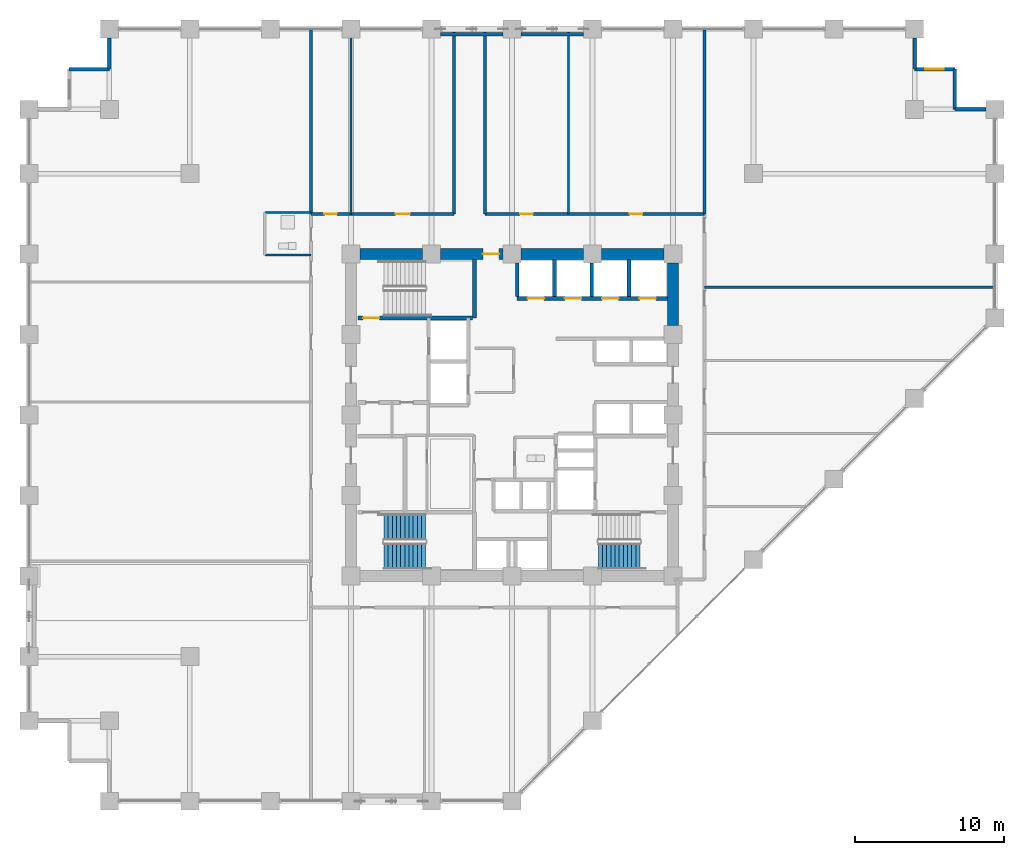
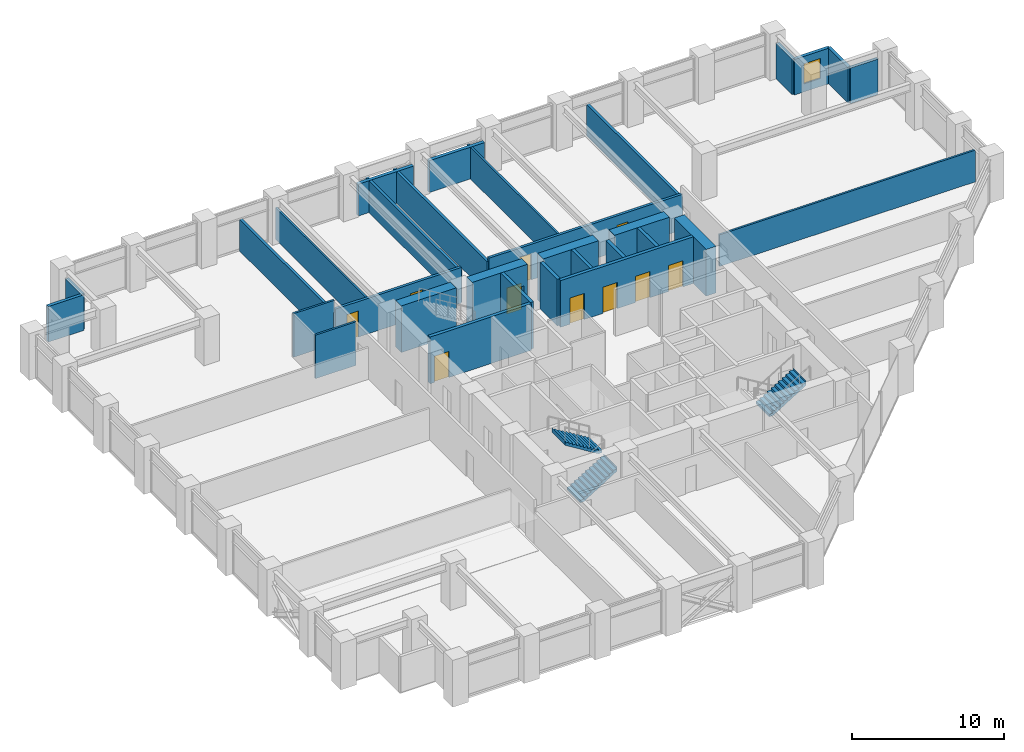
# One storey, part 22 of 26: 31 walls, 10 doors, 3 stair flights, 1 window, 11 openings, 2 elements without a shape of their own.
"""IFC4 building model written with IfcOpenShell, lengths in metres."""

import ifcopenshell
import ifcopenshell.guid

model = None  # the IFC model being written
_history = None  # IfcOwnerHistory: only IFC2X3 demands one
_inside = {}  # id of a spatial element -> (the spatial element, [elements in it])
_under = {}  # id of a project, library or spatial element -> (it, [spatial elements below it])
_declared = {}  # id of a project -> (the project, [libraries it declares])
_typed = {}  # id of a type object -> (the type object, [elements of that type])
_made_of = {}  # id of a material, layer set ... -> (it, [elements and type objects made of it])


def new_model(schema):
    """Start an empty IFC model of exactly this schema.

    Asked for "IFC4X3", IfcOpenShell would pick the latest addendum, in which some entities
    have other attributes; the version numbers below select the first issue.
    IFC2X3 requires an IfcOwnerHistory on every rooted entity: one is made here for all.
    """
    global model, _history
    if schema == "IFC4X3":
        model = ifcopenshell.file(schema_version=(4, 3, 0, 0))
    else:
        model = ifcopenshell.file(schema=schema)
    _inside.clear()
    _under.clear()
    _declared.clear()
    _typed.clear()
    _made_of.clear()
    _history = None
    if model.schema == "IFC2X3":
        org = make("IfcOrganization", Name="unknown")
        user = make(
            "IfcPersonAndOrganization",
            ThePerson=make("IfcPerson", FamilyName="unknown"),
            TheOrganization=org,
        )
        app = make(
            "IfcApplication",
            ApplicationDeveloper=org,
            Version="unknown",
            ApplicationFullName="unknown",
            ApplicationIdentifier="unknown",
        )
        _history = make(
            "IfcOwnerHistory",
            OwningUser=user,
            OwningApplication=app,
            ChangeAction="ADDED",
            CreationDate=0,
        )
    return model


def make(cls, **values):
    """One entity of the class cls with the attributes given. An attribute that is None is left unset."""
    return model.create_entity(
        cls, **{name: value for name, value in values.items() if value is not None}
    )


def rooted(cls, **values):
    """An entity with a GlobalId (a new one), such as an element, a storey or a relation."""
    return make(cls, GlobalId=ifcopenshell.guid.new(), OwnerHistory=_history, **values)


def si_unit(unit_type, name, prefix=None):
    """IfcSIUnit, for example si_unit("LENGTHUNIT", "METRE", prefix="MILLI")."""
    return make("IfcSIUnit", UnitType=unit_type, Prefix=prefix, Name=name)


def assignment(units):
    """IfcUnitAssignment: the units of a project."""
    return None if units is None else make("IfcUnitAssignment", Units=units)


def point(xyz):
    """IfcCartesianPoint."""
    return None if xyz is None else make("IfcCartesianPoint", Coordinates=xyz)


def direction(xyz):
    """IfcDirection."""
    return None if xyz is None else make("IfcDirection", DirectionRatios=xyz)


def frame(location, z_axis=None, x_axis=None):
    """IfcAxis2Placement3D, a coordinate frame: its origin and axes. An axis left out is left unset."""
    return make(
        "IfcAxis2Placement3D",
        Location=point(location),
        Axis=direction(z_axis),
        RefDirection=direction(x_axis),
    )


def frame_2d(location, x_axis=None):
    """IfcAxis2Placement2D, a coordinate frame in the plane: its origin and x axis."""
    return make(
        "IfcAxis2Placement2D", Location=point(location), RefDirection=direction(x_axis)
    )


def origin():
    """The frame at (0, 0, 0) with its axes left unset."""
    return frame((0.0, 0.0, 0.0))


def place(relative_to, where):
    """IfcLocalPlacement: puts the frame where relative to a parent placement (None: the world)."""
    return make(
        "IfcLocalPlacement", PlacementRelTo=relative_to, RelativePlacement=where
    )


def context(
    kind, dimensions, precision=None, world=None, true_north=None, identifier=None
):
    """IfcGeometricRepresentationContext, for example the 3D "Model" context."""
    return make(
        "IfcGeometricRepresentationContext",
        ContextIdentifier=identifier,
        ContextType=kind,
        CoordinateSpaceDimension=dimensions,
        Precision=precision,
        WorldCoordinateSystem=world,
        TrueNorth=true_north,
    )


def subcontext(parent, identifier, kind, view, scale=None):
    """IfcGeometricRepresentationSubContext, for example "Body" below "Model"."""
    return make(
        "IfcGeometricRepresentationSubContext",
        ContextIdentifier=identifier,
        ContextType=kind,
        ParentContext=parent,
        TargetScale=scale,
        TargetView=view,
    )


def project(units=None, contexts=None):
    """IfcProject with its units and contexts."""
    return rooted(
        "IfcProject",
        Name="project",
        RepresentationContexts=contexts,
        UnitsInContext=assignment(units),
    )


def spatial(cls, under=None, at=None, **own):
    """A site, building, storey or space (cls), placed at a placement, below another one or the project."""
    s = rooted(cls, ObjectPlacement=at, **own)
    if under is not None:
        _under.setdefault(under.id(), (under, []))[1].append(s)
    return s


def polyline(points):
    """IfcPolyline through the points."""
    return make("IfcPolyline", Points=[point(p) for p in points])


def profile(cls, at=None, kind="AREA", **sizes):
    """A parametric profile (cls). Its sizes go by their IFC names, for example OverallWidth=200.0."""
    return make(cls, ProfileType=kind, Position=at, **sizes)


def rectangle(**sizes):
    """IfcRectangleProfileDef."""
    return profile("IfcRectangleProfileDef", **sizes)


def outline(outer, holes=None, kind="AREA"):
    """IfcArbitraryClosedProfileDef: a profile drawn as a closed curve; with holes, ...WithVoids."""
    if holes is None:
        return make("IfcArbitraryClosedProfileDef", ProfileType=kind, OuterCurve=outer)
    return make(
        "IfcArbitraryProfileDefWithVoids",
        ProfileType=kind,
        OuterCurve=outer,
        InnerCurves=holes,
    )


def extrude(swept, where, along, depth):
    """IfcExtrudedAreaSolid: the profile swept, set in the frame where, extruded along a direction by depth."""
    return make(
        "IfcExtrudedAreaSolid",
        SweptArea=swept,
        Position=where,
        ExtrudedDirection=direction(along),
        Depth=depth,
    )


def shape(context_of_items, identifier, shape_type, items):
    """IfcShapeRepresentation: the items that make up one representation, for example the "Body"."""
    return make(
        "IfcShapeRepresentation",
        ContextOfItems=context_of_items,
        RepresentationIdentifier=identifier,
        RepresentationType=shape_type,
        Items=items,
    )


def material(Name=None, Category=None):
    """IfcMaterial."""
    return make("IfcMaterial", Name=Name, Category=Category)


def layer(
    of_material, thickness, ventilated=None, Name=None, Category=None, Priority=None
):
    """IfcMaterialLayer: one layer of a wall or slab, of a material (None: an air gap)."""
    return make(
        "IfcMaterialLayer",
        Material=of_material,
        LayerThickness=thickness,
        IsVentilated=ventilated,
        Name=Name,
        Category=Category,
        Priority=Priority,
    )


def layer_set(layers, Name=None):
    """IfcMaterialLayerSet."""
    return make("IfcMaterialLayerSet", MaterialLayers=layers, LayerSetName=Name)


def made_of(thing, what):
    """Note that an element or type object is made of a material, layer set ...; save() writes the relation."""
    if what is not None:
        _made_of.setdefault(what.id(), (what, []))[1].append(thing)
    return thing


def type_object(cls, material=None, **own):
    """A type object (cls), such as IfcWallType, which elements share."""
    return made_of(rooted(cls, **own), material)


def element(
    cls,
    number,
    at=None,
    inside=None,
    cuts=None,
    type_object=None,
    material=None,
    context=None,
    identifier="Body",
    shape_type=None,
    held_by="IfcProductDefinitionShape",
    body=None,
    shapes=None,
    **own,
):
    """One element of the class cls, such as IfcWall. Its Tag is "e" and its number.

    at: its placement. inside: the storey or other place that contains it. cuts: it is an
    opening in that element (IfcRelVoidsElement). A single representation is given by context,
    identifier, shape_type and body (its items); several are given by shapes. held_by: the class
    of the entity that holds the representations. save() writes the other relations.
    """
    e = rooted(cls, Tag="e%d" % number, ObjectPlacement=at, **own)
    if body is not None:
        shapes = [shape(context, identifier, shape_type, body)]
    if shapes is not None:
        e.Representation = make(held_by, Representations=shapes)
    if inside is not None:
        _inside.setdefault(inside.id(), (inside, []))[1].append(e)
    if cuts is not None:
        rooted(
            "IfcRelVoidsElement", RelatingBuildingElement=cuts, RelatedOpeningElement=e
        )
    if type_object is not None:
        _typed.setdefault(type_object.id(), (type_object, []))[1].append(e)
    return made_of(e, material)


def fill(opening, filler):
    """IfcRelFillsElement: the door or window that sits in an opening."""
    return rooted(
        "IfcRelFillsElement",
        RelatingOpeningElement=opening,
        RelatedBuildingElement=filler,
    )


def aggregate(whole, parts):
    """IfcRelAggregates: a whole, such as a stair, and the parts it consists of."""
    return rooted("IfcRelAggregates", RelatingObject=whole, RelatedObjects=parts)


def save(model, path):
    """Write the relations noted so far, then the file.

    IfcRelAggregates (storeys below a building ...), IfcRelContainedInSpatialStructure (elements
    in a storey), IfcRelDefinesByType, IfcRelAssociatesMaterial and IfcRelDeclares: one each for
    every whole, place, type object, material and project.
    """
    for whole, parts in _under.values():
        aggregate(whole, parts)
    for where, things in _inside.values():
        rooted(
            "IfcRelContainedInSpatialStructure",
            RelatedElements=things,
            RelatingStructure=where,
        )
    for kind, things in _typed.values():
        rooted("IfcRelDefinesByType", RelatedObjects=things, RelatingType=kind)
    for what, things in _made_of.values():
        rooted("IfcRelAssociatesMaterial", RelatedObjects=things, RelatingMaterial=what)
    for by, libraries in _declared.values():
        rooted("IfcRelDeclares", RelatingContext=by, RelatedDefinitions=libraries)
    model.write(path)


model = new_model("IFC4")

# Units and contexts
model_context = context("Model", 3, precision=1e-05, world=origin(), true_north=direction((0.0, 1.0)))
body_context = subcontext(model_context, "Body", "Model", "MODEL_VIEW")
ifc_project = project(units=[si_unit("LENGTHUNIT", "METRE"), si_unit("AREAUNIT", "SQUARE_METRE"), si_unit("VOLUMEUNIT", "CUBIC_METRE"), si_unit("PLANEANGLEUNIT", "RADIAN"), si_unit("MASSUNIT", "GRAM", prefix="KILO")], contexts=[model_context])

# Site, building, storey
site_placement = place(None, origin())
site = spatial("IfcSite", under=ifc_project, at=site_placement, CompositionType="ELEMENT")
building_placement = place(site_placement, origin())
building = spatial("IfcBuilding", under=site, at=building_placement, Name="Surkhivell Harbour Commons", CompositionType="ELEMENT")
storey_placement = place(building_placement, frame((0.0, 0.0, 75.0)))
storey = spatial("IfcBuildingStorey", under=building, at=storey_placement, Name="L19", CompositionType="ELEMENT", Elevation=75.0)

# Wall
ifc_material_1 = material(Name="Concrete C60/75", Category="concrete")
ifc_layer_1 = layer(ifc_material_1, 0.75)
ifc_layer_set_1 = layer_set([ifc_layer_1], Name="Concrete C60/75")
wall_type_1 = type_object("IfcWallType", Name="WAL-CORE-750", PredefinedType="SHEAR", material=ifc_layer_set_1)
wall_1_placement = place(storey_placement, frame((-10.18994140625, 10.800048828125, 0.0), z_axis=(0.0, 0.0, 1.0), x_axis=(1.0, 0.0, 0.0)))
element("IfcWall", 1, at=wall_1_placement, inside=storey, type_object=wall_type_1, Name="L19 Core Shear Wall North 1", PredefinedType="SHEAR", context=body_context, shape_type="SweptSolid", body=[
    extrude(rectangle(XDim=4.179931640625, YDim=0.75, at=frame_2d((2.08984375, 0.0))), origin(), (0.0, 0.0, 1.0), 3.75),
])

# Wall, opening, door
wall_2_placement = place(storey_placement, frame((-4.7900390625, 10.800048828125, 0.0), z_axis=(0.0, 0.0, 1.0), x_axis=(1.0, 0.0, 0.0)))
wall_2 = element("IfcWall", 2, at=wall_2_placement, inside=storey, type_object=wall_type_1, Name="L19 Core Shear Wall North 2", PredefinedType="SHEAR", context=body_context, shape_type="SweptSolid", body=[
    extrude(rectangle(XDim=4.179931640625, YDim=0.75, at=frame_2d((2.08984375, 0.0))), origin(), (0.0, 0.0, 1.0), 3.75),
])
opening_1_placement = place(wall_2_placement, frame((2.830078125, 0.0, 0.0)))
opening_1 = element("IfcOpeningElement", 3, at=opening_1_placement, cuts=wall_2, Name="Opening ID-2", PredefinedType="OPENING", context=body_context, shape_type="SweptSolid", body=[
    extrude(rectangle(XDim=1.10009765625, YDim=2.10009765625, at=frame_2d((0.550048828125, 1.050048828125))), frame((0.0, 0.385009765625, 0.0), z_axis=(0.0, -1.0, 0.0), x_axis=(1.0, 0.0, 0.0)), (0.0, 0.0, 1.0), 0.77001953125),
])
ifc_material_2 = material(Name="Hardwood-veneered fire-rated door leaf", Category="wood")
door_type_1 = type_object("IfcDoorType", Name="DOR-FD60-1100", OperationType="NOTDEFINED", PredefinedType="DOOR", material=ifc_material_2)
door_1_placement = place(opening_1_placement, origin())
door_1 = element("IfcDoor", 4, at=door_1_placement, inside=storey, type_object=door_type_1, Name="L19 Central Core Lift Hall North Corridor Door", OperationType="SINGLE_SWING_LEFT", OverallHeight=2.10009765625, OverallWidth=1.10009765625, PredefinedType="DOOR", context=body_context, shape_type="SweptSolid", body=[
    extrude(rectangle(XDim=1.10009765625, YDim=2.10009765625, at=frame_2d((0.550048828125, 1.050048828125))), frame((0.0, 0.02490234375, 0.0), z_axis=(0.0, -1.0, 0.0), x_axis=(1.0, 0.0, 0.0)), (0.0, 0.0, 1.0), 0.050048828125),
])
fill(opening_1, door_1)

# Walls
for number, where, z_axis, x_axis, name in (
    (5, (0.610107421875, 10.800048828125, 0.0), (0.0, 0.0, 1.0), (1.0, 0.0, 0.0), "L19 Core Shear Wall North 3"),
    (6, (6.010009765625, 10.800048828125, 0.0), (0.0, 0.0, 1.0), (1.0, 0.0, 0.0), "L19 Core Shear Wall North 4"),
    (7, (10.800048828125, 6.010009765625, 0.0), (0.0, 0.0, 1.0), (0.0, 1.0, 0.0), "L19 Core Shear Wall East 4"),
):
    element("IfcWall", number, at=place(storey_placement, frame(where, z_axis=z_axis, x_axis=x_axis)), inside=storey, type_object=wall_type_1, Name=name, PredefinedType="SHEAR", context=body_context, shape_type="SweptSolid", body=[
        extrude(rectangle(XDim=4.179931640625, YDim=0.75, at=frame_2d((2.08984375, 0.0))), origin(), (0.0, 0.0, 1.0), 3.75),
    ])
ifc_material_3 = material(Name="Pale-metal insulated precast concrete C45/55", Category="concrete")
ifc_layer_2 = layer(ifc_material_3, 0.260009765625)
ifc_layer_set_2 = layer_set([ifc_layer_2], Name="Pale-metal insulated precast concrete C45/55")
wall_type_2 = type_object("IfcWallType", Name="WAL-EXT-MTL260", PredefinedType="STANDARD", material=ifc_layer_set_2)
for number, where, z_axis, x_axis, name in (
    (8, (-0.597900390625, 25.5400390625, 0.0), (0.0, 0.0, 1.0), (-1.0, 0.0, 0.0), "L19 Braced-Bay Insulated Spandrel Backing N"),
    (9, (4.802001953125, 25.5400390625, 0.0), (0.0, 0.0, 1.0), (-1.0, 0.0, 0.0), "L19 Braced-Bay Insulated Spandrel Backing N2"),
):
    element("IfcWall", number, at=place(storey_placement, frame(where, z_axis=z_axis, x_axis=x_axis)), inside=storey, type_object=wall_type_2, Name=name, PredefinedType="STANDARD", context=body_context, shape_type="SweptSolid", body=[
        extrude(rectangle(XDim=4.2041015625, YDim=0.260009765625, at=frame_2d((2.10205078125, 0.0))), origin(), (0.0, 0.0, 1.0), 2.552978515625),
    ])
ifc_material_4 = material(Name="Bronze-ochre cassette precast concrete C45/55", Category="concrete")
ifc_layer_3 = layer(ifc_material_4, 0.239990234375)
ifc_layer_set_3 = layer_set([ifc_layer_3], Name="Bronze-ochre cassette precast concrete C45/55")
wall_type_3 = type_object("IfcWallType", Name="WAL-EXT-OCH240", PredefinedType="STANDARD", material=ifc_layer_set_3)
wall_3_placement = place(storey_placement, frame((31.802001953125, 20.5, 0.0), z_axis=(0.0, 0.0, 1.0), x_axis=(-1.0, 0.0, 0.0)))
element("IfcWall", 10, at=wall_3_placement, inside=storey, type_object=wall_type_3, Name="L19 Serrated Corner Facade Wall 03", PredefinedType="STANDARD", context=body_context, shape_type="SweptSolid", body=[
    extrude(rectangle(XDim=2.10205078125, YDim=0.239990234375, at=frame_2d((1.051025390625, 0.0))), origin(), (0.0, 0.0, 1.0), 2.860107421875),
])
wall_4_placement = place(storey_placement, frame((29.699951171875, 20.5, 0.0), z_axis=(0.0, 0.0, 1.0), x_axis=(0.0, 1.0, 0.0)))
element("IfcWall", 11, at=wall_4_placement, inside=storey, type_object=wall_type_3, Name="L19 Serrated Corner Facade Wall 04", PredefinedType="STANDARD", context=body_context, shape_type="SweptSolid", body=[
    extrude(rectangle(XDim=2.699951171875, YDim=0.239990234375, at=frame_2d((1.35009765625, 0.0))), origin(), (0.0, 0.0, 1.0), 2.860107421875),
])

# Wall, opening, window
wall_5_placement = place(storey_placement, frame((29.699951171875, 23.199951171875, 0.0), z_axis=(0.0, 0.0, 1.0), x_axis=(-1.0, 0.0, 0.0)))
wall_5 = element("IfcWall", 12, at=wall_5_placement, inside=storey, type_object=wall_type_3, Name="L19 Serrated Corner Facade Wall 05", PredefinedType="STANDARD", context=body_context, shape_type="SweptSolid", body=[
    extrude(rectangle(XDim=2.699951171875, YDim=0.239990234375, at=frame_2d((1.35009765625, 0.0))), origin(), (0.0, 0.0, 1.0), 2.860107421875),
])
opening_2_placement = place(wall_5_placement, frame((0.72509765625, 0.0, 0.64990234375)))
opening_2 = element("IfcOpeningElement", 13, at=opening_2_placement, cuts=wall_5, Name="Opening WN-09", PredefinedType="OPENING", context=body_context, shape_type="SweptSolid", body=[
    extrude(rectangle(XDim=1.25, YDim=1.60009765625, at=frame_2d((0.625, 0.800048828125))), frame((0.0, 0.1298828125, 0.0), z_axis=(0.0, -1.0, 0.0), x_axis=(1.0, 0.0, 0.0)), (0.0, 0.0, 1.0), 0.260009765625),
])
ifc_material_5 = material(Name="Thermal-break aluminium frame and double low-E glazing", Category="aluminium")
window_type = type_object("IfcWindowType", Name="WIN-SER-1250x1600", PartitioningType="SINGLE_PANEL", PredefinedType="WINDOW", material=ifc_material_5)
window_placement = place(opening_2_placement, origin())
window = element("IfcWindow", 14, at=window_placement, inside=storey, type_object=window_type, Name="L19 Serrated Alcove Window 05", OverallHeight=1.60009765625, OverallWidth=1.25, PartitioningType="SINGLE_PANEL", PredefinedType="WINDOW", context=body_context, shape_type="SweptSolid", body=[
    extrude(rectangle(XDim=1.25, YDim=1.60009765625, at=frame_2d((0.625, 0.800048828125))), frame((0.0, 0.030029296875, 0.0), z_axis=(0.0, -1.0, 0.0), x_axis=(1.0, 0.0, 0.0)), (0.0, 0.0, 1.0), 0.06005859375),
])
fill(opening_2, window)

# Walls
for number, where, z_axis, x_axis, name in (
    (15, (27.0, 23.199951171875, 0.0), (0.0, 0.0, 1.0), (0.0, 1.0, 0.0), "L19 Serrated Corner Facade Wall 06"),
    (16, (-27.0, 25.302001953125, 0.0), (0.0, 0.0, 1.0), (0.0, -1.0, 0.0), "L19 Serrated Corner Facade Wall 08"),
):
    element("IfcWall", number, at=place(storey_placement, frame(where, z_axis=z_axis, x_axis=x_axis)), inside=storey, type_object=wall_type_3, Name=name, PredefinedType="STANDARD", context=body_context, shape_type="SweptSolid", body=[
        extrude(rectangle(XDim=2.10205078125, YDim=0.239990234375, at=frame_2d((1.051025390625, 0.0))), origin(), (0.0, 0.0, 1.0), 2.860107421875),
    ])
wall_6_placement = place(storey_placement, frame((-27.0, 23.199951171875, 0.0), z_axis=(0.0, 0.0, 1.0), x_axis=(-1.0, 0.0, 0.0)))
element("IfcWall", 17, at=wall_6_placement, inside=storey, type_object=wall_type_3, Name="L19 Serrated Corner Facade Wall 09", PredefinedType="STANDARD", context=body_context, shape_type="SweptSolid", body=[
    extrude(rectangle(XDim=2.699951171875, YDim=0.239990234375, at=frame_2d((1.35009765625, 0.0))), origin(), (0.0, 0.0, 1.0), 2.860107421875),
])
ifc_material_6 = material(Name="Moisture-resistant acoustic stud partition", Category="other")
ifc_layer_4 = layer(ifc_material_6, 0.125)
ifc_layer_set_4 = layer_set([ifc_layer_4], Name="Moisture-resistant acoustic stud partition")
wall_type_4 = type_object("IfcWallType", Name="WAL-INT-125", PredefinedType="PARTITIONING", material=ifc_layer_set_4)
wall_7_placement = place(storey_placement, frame((-10.800048828125, 13.47998046875, 0.0), z_axis=(0.0, 0.0, 1.0), x_axis=(0.0, 1.0, 0.0)))
element("IfcWall", 18, at=wall_7_placement, inside=storey, type_object=wall_type_4, Name="L19 North-West Partition P1", PredefinedType="PARTITIONING", context=body_context, shape_type="SweptSolid", body=[
    extrude(rectangle(XDim=12.360107421875, YDim=0.125, at=frame_2d((6.18017578125, 0.0))), origin(), (0.0, 0.0, 1.0), 2.552978515625),
])
ifc_material_7 = material(Name="Twin-stud acoustic fireboard partition", Category="other")
ifc_layer_5 = layer(ifc_material_7, 0.14990234375)
ifc_layer_set_5 = layer_set([ifc_layer_5], Name="Twin-stud acoustic fireboard partition")
wall_type_5 = type_object("IfcWallType", Name="WAL-INT-150", PredefinedType="PARTITIONING", material=ifc_layer_set_5)
wall_8_placement = place(storey_placement, frame((12.89990234375, 8.580078125, 0.0), z_axis=(0.0, 0.0, 1.0), x_axis=(1.0, 0.0, 0.0)))
element("IfcWall", 19, at=wall_8_placement, inside=storey, type_object=wall_type_5, Name="L19 East Partition P4", PredefinedType="PARTITIONING", context=body_context, shape_type="SweptSolid", body=[
    extrude(rectangle(XDim=19.440185546875, YDim=0.14990234375, at=frame_2d((9.72021484375, 0.0))), origin(), (0.0, 0.0, 1.0), 2.552978515625),
])
wall_9_placement = place(storey_placement, frame((3.7900390625, 13.47998046875, 0.0), z_axis=(0.0, 0.0, 1.0), x_axis=(0.0, 1.0, 0.0)))
element("IfcWall", 20, at=wall_9_placement, inside=storey, type_object=wall_type_5, Name="L19 North-East Partition P1", PredefinedType="PARTITIONING", context=body_context, shape_type="SweptSolid", body=[
    extrude(rectangle(XDim=12.360107421875, YDim=0.14990234375, at=frame_2d((6.18017578125, 0.0))), origin(), (0.0, 0.0, 1.0), 2.552978515625),
])
for number, where, z_axis, x_axis, name in (
    (21, (-16.580078125, 13.580078125, 0.0), (0.0, 0.0, 1.0), (1.0, 0.0, 0.0), "L19 West Partition BTHN"),
    (22, (-16.580078125, 10.72998046875, 0.0), (0.0, 0.0, 1.0), (1.0, 0.0, 0.0), "L19 West Partition BTHS"),
):
    element("IfcWall", number, at=place(storey_placement, frame(where, z_axis=z_axis, x_axis=x_axis)), inside=storey, type_object=wall_type_5, Name=name, PredefinedType="PARTITIONING", context=body_context, shape_type="SweptSolid", body=[
        extrude(rectangle(XDim=3.10009765625, YDim=0.14990234375, at=frame_2d((1.550048828125, 0.0))), origin(), (0.0, 0.0, 1.0), 3.5),
    ])
ifc_material_8 = material(Name="Autoclaved aerated concrete blockwork and fire plaster", Category="masonry")
ifc_layer_6 = layer(ifc_material_8, 0.199951171875)
ifc_layer_set_6 = layer_set([ifc_layer_6], Name="Autoclaved aerated concrete blockwork and fire plaster")
wall_type_6 = type_object("IfcWallType", Name="WAL-INT-200", PredefinedType="PARTITIONING", material=ifc_layer_set_6)
for number, where, z_axis, x_axis, name in (
    (23, (12.89990234375, 13.47998046875, 0.0), (0.0, 0.0, 1.0), (0.0, 1.0, 0.0), "L19 North-East Wing Corner Divider"),
    (24, (-13.47998046875, 13.47998046875, 0.0), (0.0, 0.0, 1.0), (0.0, 1.0, 0.0), "L19 North-West Wing Corner Divider"),
):
    element("IfcWall", number, at=place(storey_placement, frame(where, z_axis=z_axis, x_axis=x_axis)), inside=storey, type_object=wall_type_6, Name=name, PredefinedType="PARTITIONING", context=body_context, shape_type="SweptSolid", body=[
        extrude(rectangle(XDim=12.360107421875, YDim=0.199951171875, at=frame_2d((6.18017578125, 0.0))), origin(), (0.0, 0.0, 1.0), 2.552978515625),
    ])

# Wall, openings, doors
wall_10_placement = place(storey_placement, frame((-13.47998046875, 13.47998046875, 0.0), z_axis=(0.0, 0.0, 1.0), x_axis=(1.0, 0.0, 0.0)))
wall_10 = element("IfcWall", 25, at=wall_10_placement, inside=storey, type_object=wall_type_6, Name="L19 Corridor North-West Wall", PredefinedType="PARTITIONING", context=body_context, shape_type="SweptSolid", body=[
    extrude(rectangle(XDim=9.580078125, YDim=0.199951171875, at=frame_2d((4.7900390625, 0.0))), origin(), (0.0, 0.0, 1.0), 2.860107421875),
])
opening_3_placement = place(wall_10_placement, frame((0.889892578125, 0.0, 0.0)))
opening_3 = element("IfcOpeningElement", 26, at=opening_3_placement, cuts=wall_10, Name="Opening ID-6", PredefinedType="OPENING", context=body_context, shape_type="SweptSolid", body=[
    extrude(rectangle(XDim=0.85009765625, YDim=2.10009765625, at=frame_2d((0.425048828125, 1.050048828125))), frame((0.0, 0.10986328125, 0.0), z_axis=(0.0, -1.0, 0.0), x_axis=(1.0, 0.0, 0.0)), (0.0, 0.0, 1.0), 0.219970703125),
])
opening_4_placement = place(wall_10_placement, frame((5.679931640625, 0.0, 0.0)))
opening_4 = element("IfcOpeningElement", 27, at=opening_4_placement, cuts=wall_10, Name="Opening ID-4", PredefinedType="OPENING", context=body_context, shape_type="SweptSolid", body=[
    extrude(rectangle(XDim=0.949951171875, YDim=2.10009765625, at=frame_2d((0.47509765625, 1.050048828125))), frame((0.0, 0.10986328125, 0.0), z_axis=(0.0, -1.0, 0.0), x_axis=(1.0, 0.0, 0.0)), (0.0, 0.0, 1.0), 0.219970703125),
])
door_type_2 = type_object("IfcDoorType", Name="DOR-FD30-850", OperationType="NOTDEFINED", PredefinedType="DOOR", material=ifc_material_2)
door_2_placement = place(opening_3_placement, origin())
door_2 = element("IfcDoor", 28, at=door_2_placement, inside=storey, type_object=door_type_2, Name="L19 Shared Communal Kitchen A North-West Door", OperationType="SINGLE_SWING_RIGHT", OverallHeight=2.10009765625, OverallWidth=0.85009765625, PredefinedType="DOOR", context=body_context, shape_type="SweptSolid", body=[
    extrude(rectangle(XDim=0.85009765625, YDim=2.10009765625, at=frame_2d((0.425048828125, 1.050048828125))), frame((0.0, 0.02490234375, 0.0), z_axis=(0.0, -1.0, 0.0), x_axis=(1.0, 0.0, 0.0)), (0.0, 0.0, 1.0), 0.050048828125),
])
fill(opening_3, door_2)
door_type_3 = type_object("IfcDoorType", Name="DOR-FD60-950", OperationType="NOTDEFINED", PredefinedType="DOOR", material=ifc_material_2)
door_3_placement = place(opening_4_placement, origin())
door_3 = element("IfcDoor", 29, at=door_3_placement, inside=storey, type_object=door_type_3, Name="L19 Shared Communal Kitchen B North-West Door", OperationType="SINGLE_SWING_LEFT", OverallHeight=2.10009765625, OverallWidth=0.949951171875, PredefinedType="DOOR", context=body_context, shape_type="SweptSolid", body=[
    extrude(rectangle(XDim=0.949951171875, YDim=2.10009765625, at=frame_2d((0.47509765625, 1.050048828125))), frame((0.0, 0.02490234375, 0.0), z_axis=(0.0, -1.0, 0.0), x_axis=(1.0, 0.0, 0.0)), (0.0, 0.0, 1.0), 0.050048828125),
])
fill(opening_4, door_3)

wall_11_placement = place(storey_placement, frame((-1.800048828125, 13.47998046875, 0.0), z_axis=(0.0, 0.0, 1.0), x_axis=(1.0, 0.0, 0.0)))
wall_11 = element("IfcWall", 30, at=wall_11_placement, inside=storey, type_object=wall_type_6, Name="L19 Corridor North-East Wall", PredefinedType="PARTITIONING", context=body_context, shape_type="SweptSolid", body=[
    extrude(rectangle(XDim=14.699951171875, YDim=0.199951171875, at=frame_2d((7.35009765625, 0.0))), origin(), (0.0, 0.0, 1.0), 2.860107421875),
])
opening_5_placement = place(wall_11_placement, frame((2.344970703125, 0.0, 0.0)))
opening_5 = element("IfcOpeningElement", 31, at=opening_5_placement, cuts=wall_11, Name="Opening ID-6", PredefinedType="OPENING", context=body_context, shape_type="SweptSolid", body=[
    extrude(rectangle(XDim=0.85009765625, YDim=2.10009765625, at=frame_2d((0.425048828125, 1.050048828125))), frame((0.0, 0.10986328125, 0.0), z_axis=(0.0, -1.0, 0.0), x_axis=(1.0, 0.0, 0.0)), (0.0, 0.0, 1.0), 0.219970703125),
])
opening_6_placement = place(wall_11_placement, frame((9.695068359375, 0.0, 0.0)))
opening_6 = element("IfcOpeningElement", 32, at=opening_6_placement, cuts=wall_11, Name="Opening ID-6", PredefinedType="OPENING", context=body_context, shape_type="SweptSolid", body=[
    extrude(rectangle(XDim=0.85009765625, YDim=2.10009765625, at=frame_2d((0.425048828125, 1.050048828125))), frame((0.0, 0.10986328125, 0.0), z_axis=(0.0, -1.0, 0.0), x_axis=(1.0, 0.0, 0.0)), (0.0, 0.0, 1.0), 0.219970703125),
])
door_4_placement = place(opening_5_placement, origin())
door_4 = element("IfcDoor", 33, at=door_4_placement, inside=storey, type_object=door_type_2, Name="L19 Harbour Reading Library North-East Door", OperationType="SINGLE_SWING_RIGHT", OverallHeight=2.10009765625, OverallWidth=0.85009765625, PredefinedType="DOOR", context=body_context, shape_type="SweptSolid", body=[
    extrude(rectangle(XDim=0.85009765625, YDim=2.10009765625, at=frame_2d((0.425048828125, 1.050048828125))), frame((0.0, 0.02490234375, 0.0), z_axis=(0.0, -1.0, 0.0), x_axis=(1.0, 0.0, 0.0)), (0.0, 0.0, 1.0), 0.050048828125),
])
fill(opening_5, door_4)
door_5_placement = place(opening_6_placement, origin())
door_5 = element("IfcDoor", 34, at=door_5_placement, inside=storey, type_object=door_type_2, Name="L19 Communal Dining Hall North-East Door", OperationType="SINGLE_SWING_LEFT", OverallHeight=2.10009765625, OverallWidth=0.85009765625, PredefinedType="DOOR", context=body_context, shape_type="SweptSolid", body=[
    extrude(rectangle(XDim=0.85009765625, YDim=2.10009765625, at=frame_2d((0.425048828125, 1.050048828125))), frame((0.0, 0.02490234375, 0.0), z_axis=(0.0, -1.0, 0.0), x_axis=(1.0, 0.0, 0.0)), (0.0, 0.0, 1.0), 0.050048828125),
])
fill(opening_6, door_5)

# Walls
for number, where, z_axis, x_axis, name in (
    (35, (-1.800048828125, 13.47998046875, 0.0), (0.0, 0.0, 1.0), (0.0, 1.0, 0.0), "L19 North Alcove East Wall"),
    (36, (-3.89990234375, 13.47998046875, 0.0), (0.0, 0.0, 1.0), (0.0, 1.0, 0.0), "L19 North Alcove West Wall"),
):
    element("IfcWall", number, at=place(storey_placement, frame(where, z_axis=z_axis, x_axis=x_axis)), inside=storey, type_object=wall_type_6, Name=name, PredefinedType="PARTITIONING", context=body_context, shape_type="SweptSolid", body=[
        extrude(rectangle(XDim=12.360107421875, YDim=0.199951171875, at=frame_2d((6.18017578125, 0.0))), origin(), (0.0, 0.0, 1.0), 2.552978515625),
    ])
ifc_material_9 = material(Name="Concrete C50/60", Category="concrete")
ifc_layer_7 = layer(ifc_material_9, 0.25)
ifc_layer_set_7 = layer_set([ifc_layer_7], Name="Concrete C50/60")
wall_type_7 = type_object("IfcWallType", Name="WAL-SHAFT-250", PredefinedType="SHEAR", material=ifc_layer_set_7)
wall_12_placement = place(storey_placement, frame((2.85009765625, 7.93994140625, 0.0), z_axis=(0.0, 0.0, 1.0), x_axis=(0.0, 1.0, 0.0)))
element("IfcWall", 37, at=wall_12_placement, inside=storey, type_object=wall_type_7, Name="L19 Low-Rise Hoistway Wall", PredefinedType="SHEAR", context=body_context, shape_type="SweptSolid", body=[
    extrude(rectangle(XDim=2.485107421875, YDim=0.25, at=frame_2d((1.24267578125, 0.0))), origin(), (0.0, 0.0, 1.0), 3.75),
])
for number, where, z_axis, x_axis, name in (
    (38, (0.35009765625, 7.93994140625, 0.0), (0.0, 0.0, 1.0), (0.0, 1.0, 0.0), "L19 Low-Rise Hoistway Wall"),
    (39, (5.35009765625, 7.93994140625, 0.0), (0.0, 0.0, 1.0), (0.0, 1.0, 0.0), "L19 Low-Rise Hoistway Wall"),
):
    element("IfcWall", number, at=place(storey_placement, frame(where, z_axis=z_axis, x_axis=x_axis)), inside=storey, type_object=wall_type_7, Name=name, PredefinedType="SHEAR", context=body_context, shape_type="SweptSolid", body=[
        extrude(rectangle(XDim=2.260009765625, YDim=0.25, at=frame_2d((1.1298828125, 0.0))), origin(), (0.0, 0.0, 1.0), 3.75),
    ])
wall_13_placement = place(storey_placement, frame((7.85009765625, 7.93994140625, 0.0), z_axis=(0.0, 0.0, 1.0), x_axis=(0.0, 1.0, 0.0)))
element("IfcWall", 40, at=wall_13_placement, inside=storey, type_object=wall_type_7, Name="L19 Low-Rise Hoistway Wall", PredefinedType="SHEAR", context=body_context, shape_type="SweptSolid", body=[
    extrude(rectangle(XDim=2.485107421875, YDim=0.25, at=frame_2d((1.24267578125, 0.0))), origin(), (0.0, 0.0, 1.0), 3.75),
])

# Wall, openings, doors
wall_14_placement = place(storey_placement, frame((0.35009765625, 7.820068359375, 0.0), z_axis=(0.0, 0.0, 1.0), x_axis=(1.0, 0.0, 0.0)))
wall_14 = element("IfcWall", 41, at=wall_14_placement, inside=storey, type_object=wall_type_7, Name="L19 Low-Rise Lift Front Shaft Wall", PredefinedType="SHEAR", context=body_context, shape_type="SweptSolid", body=[
    extrude(rectangle(XDim=10.074951171875, YDim=0.25, at=frame_2d((5.03759765625, 0.0))), origin(), (0.0, 0.0, 1.0), 3.75),
])
opening_7_placement = place(wall_14_placement, frame((0.699951171875, 0.0, 0.0)))
opening_7 = element("IfcOpeningElement", 42, at=opening_7_placement, cuts=wall_14, Name="Opening LD-1", PredefinedType="OPENING", context=body_context, shape_type="SweptSolid", body=[
    extrude(rectangle(XDim=1.10009765625, YDim=2.10009765625, at=frame_2d((0.550048828125, 1.050048828125))), frame((0.0, 0.135009765625, 0.0), z_axis=(0.0, -1.0, 0.0), x_axis=(1.0, 0.0, 0.0)), (0.0, 0.0, 1.0), 0.27001953125),
])
opening_8_placement = place(wall_14_placement, frame((3.199951171875, 0.0, 0.0)))
opening_8 = element("IfcOpeningElement", 43, at=opening_8_placement, cuts=wall_14, Name="Opening LD-1", PredefinedType="OPENING", context=body_context, shape_type="SweptSolid", body=[
    extrude(rectangle(XDim=1.10009765625, YDim=2.10009765625, at=frame_2d((0.550048828125, 1.050048828125))), frame((0.0, 0.135009765625, 0.0), z_axis=(0.0, -1.0, 0.0), x_axis=(1.0, 0.0, 0.0)), (0.0, 0.0, 1.0), 0.27001953125),
])
opening_9_placement = place(wall_14_placement, frame((5.699951171875, 0.0, 0.0)))
opening_9 = element("IfcOpeningElement", 44, at=opening_9_placement, cuts=wall_14, Name="Opening LD-1", PredefinedType="OPENING", context=body_context, shape_type="SweptSolid", body=[
    extrude(rectangle(XDim=1.10009765625, YDim=2.10009765625, at=frame_2d((0.550048828125, 1.050048828125))), frame((0.0, 0.135009765625, 0.0), z_axis=(0.0, -1.0, 0.0), x_axis=(1.0, 0.0, 0.0)), (0.0, 0.0, 1.0), 0.27001953125),
])
opening_10_placement = place(wall_14_placement, frame((8.199951171875, 0.0, 0.0)))
opening_10 = element("IfcOpeningElement", 45, at=opening_10_placement, cuts=wall_14, Name="Opening LD-1", PredefinedType="OPENING", context=body_context, shape_type="SweptSolid", body=[
    extrude(rectangle(XDim=1.10009765625, YDim=2.10009765625, at=frame_2d((0.550048828125, 1.050048828125))), frame((0.0, 0.135009765625, 0.0), z_axis=(0.0, -1.0, 0.0), x_axis=(1.0, 0.0, 0.0)), (0.0, 0.0, 1.0), 0.27001953125),
])
ifc_material_10 = material(Name="Brushed stainless steel S355", Category="steel")
door_type_4 = type_object("IfcDoorType", Name="DOR-LD-1100", OperationType="SLIDING_TO_LEFT", PredefinedType="DOOR", material=ifc_material_10)
door_6_placement = place(opening_7_placement, origin())
door_6 = element("IfcDoor", 46, at=door_6_placement, inside=storey, type_object=door_type_4, Name="L19 Lift Landing Door LD-PL1", OperationType="SLIDING_TO_LEFT", OverallHeight=2.10009765625, OverallWidth=1.10009765625, PredefinedType="DOOR", context=body_context, shape_type="SweptSolid", body=[
    extrude(rectangle(XDim=1.10009765625, YDim=2.10009765625, at=frame_2d((0.550048828125, 1.050048828125))), frame((0.0, 0.02490234375, 0.0), z_axis=(0.0, -1.0, 0.0), x_axis=(1.0, 0.0, 0.0)), (0.0, 0.0, 1.0), 0.050048828125),
])
fill(opening_7, door_6)
door_7_placement = place(opening_8_placement, origin())
door_7 = element("IfcDoor", 47, at=door_7_placement, inside=storey, type_object=door_type_4, Name="L19 Lift Landing Door LD-PL2", OperationType="SLIDING_TO_LEFT", OverallHeight=2.10009765625, OverallWidth=1.10009765625, PredefinedType="DOOR", context=body_context, shape_type="SweptSolid", body=[
    extrude(rectangle(XDim=1.10009765625, YDim=2.10009765625, at=frame_2d((0.550048828125, 1.050048828125))), frame((0.0, 0.02490234375, 0.0), z_axis=(0.0, -1.0, 0.0), x_axis=(1.0, 0.0, 0.0)), (0.0, 0.0, 1.0), 0.050048828125),
])
fill(opening_8, door_7)
door_8_placement = place(opening_9_placement, origin())
door_8 = element("IfcDoor", 48, at=door_8_placement, inside=storey, type_object=door_type_4, Name="L19 Lift Landing Door LD-PL3", OperationType="SLIDING_TO_LEFT", OverallHeight=2.10009765625, OverallWidth=1.10009765625, PredefinedType="DOOR", context=body_context, shape_type="SweptSolid", body=[
    extrude(rectangle(XDim=1.10009765625, YDim=2.10009765625, at=frame_2d((0.550048828125, 1.050048828125))), frame((0.0, 0.02490234375, 0.0), z_axis=(0.0, -1.0, 0.0), x_axis=(1.0, 0.0, 0.0)), (0.0, 0.0, 1.0), 0.050048828125),
])
fill(opening_9, door_8)
door_9_placement = place(opening_10_placement, origin())
door_9 = element("IfcDoor", 49, at=door_9_placement, inside=storey, type_object=door_type_4, Name="L19 Lift Landing Door LD-PL4", OperationType="SLIDING_TO_LEFT", OverallHeight=2.10009765625, OverallWidth=1.10009765625, PredefinedType="DOOR", context=body_context, shape_type="SweptSolid", body=[
    extrude(rectangle(XDim=1.10009765625, YDim=2.10009765625, at=frame_2d((0.550048828125, 1.050048828125))), frame((0.0, 0.02490234375, 0.0), z_axis=(0.0, -1.0, 0.0), x_axis=(1.0, 0.0, 0.0)), (0.0, 0.0, 1.0), 0.050048828125),
])
fill(opening_10, door_9)

# Wall
wall_15_placement = place(storey_placement, frame((-2.510009765625, 6.510009765625, 0.0), z_axis=(0.0, 0.0, 1.0), x_axis=(0.0, 1.0, 0.0)))
element("IfcWall", 50, at=wall_15_placement, inside=storey, type_object=wall_type_7, Name="L19 Stair ST1 East Shear Wall", PredefinedType="SHEAR", context=body_context, shape_type="SweptSolid", body=[
    extrude(rectangle(XDim=3.9150390625, YDim=0.25, at=frame_2d((1.95751953125, 0.0))), origin(), (0.0, 0.0, 1.0), 3.75),
])

# Wall, opening, door
wall_16_placement = place(storey_placement, frame((-10.340087890625, 6.510009765625, 0.0), z_axis=(0.0, 0.0, 1.0), x_axis=(1.0, 0.0, 0.0)))
wall_16 = element("IfcWall", 51, at=wall_16_placement, inside=storey, type_object=wall_type_7, Name="L19 Stair ST1 South Shear Wall", PredefinedType="SHEAR", context=body_context, shape_type="SweptSolid", body=[
    extrude(rectangle(XDim=7.7001953125, YDim=0.25, at=frame_2d((3.85009765625, 0.0))), origin(), (0.0, 0.0, 1.0), 3.75),
])
opening_11_placement = place(wall_16_placement, frame((0.35009765625, 0.0, 0.0)))
opening_11 = element("IfcOpeningElement", 52, at=opening_11_placement, cuts=wall_16, Name="Opening ID-2", PredefinedType="OPENING", context=body_context, shape_type="SweptSolid", body=[
    extrude(rectangle(XDim=1.10009765625, YDim=2.10009765625, at=frame_2d((0.550048828125, 1.050048828125))), frame((0.0, 0.135009765625, 0.0), z_axis=(0.0, -1.0, 0.0), x_axis=(1.0, 0.0, 0.0)), (0.0, 0.0, 1.0), 0.27001953125),
])
door_10_placement = place(opening_11_placement, origin())
door_10 = element("IfcDoor", 53, at=door_10_placement, inside=storey, type_object=door_type_1, Name="L19 Stair ST1 Exit Door", OperationType="SINGLE_SWING_LEFT", OverallHeight=2.10009765625, OverallWidth=1.10009765625, PredefinedType="DOOR", context=body_context, shape_type="SweptSolid", body=[
    extrude(rectangle(XDim=1.10009765625, YDim=2.10009765625, at=frame_2d((0.550048828125, 1.050048828125))), frame((0.0, 0.02490234375, 0.0), z_axis=(0.0, -1.0, 0.0), x_axis=(1.0, 0.0, 0.0)), (0.0, 0.0, 1.0), 0.050048828125),
])
fill(opening_11, door_10)

# Stair, stair flight
ifc_material_11 = material(Name="Precast concrete C45/55", Category="concrete")
stair_type = type_object("IfcStairType", Name="STR-DL-375", PredefinedType="HALF_TURN_STAIR", material=ifc_material_11)
stair_1_placement = place(storey_placement, origin())
stair_1 = element("IfcStair", 54, at=stair_1_placement, inside=storey, type_object=stair_type, Name="L19 Core Exit Stair ST2", PredefinedType="HALF_TURN_STAIR")
stair_flight_type = type_object("IfcStairFlightType", Name="STF-DL-375", PredefinedType="STRAIGHT", material=ifc_material_11)
stair_flight_1_placement = place(storey_placement, frame((5.7900390625, -9.465087890625, 1.875), z_axis=(0.0, 0.0, 1.0), x_axis=(1.0, 0.0, 0.0)))
stair_flight_1 = element("IfcStairFlight", 55, at=stair_flight_1_placement, type_object=stair_flight_type, Name="ST2 flight 2", NumberOfRisers=11, NumberOfTreads=10, PredefinedType="STRAIGHT", RiserHeight=0.170454545, TreadLength=0.28, context=body_context, shape_type="SweptSolid", body=[
    extrude(outline(polyline([(-0.0029296875, -0.034912109375), (-0.0029296875, 0.0), (0.0, 0.0), (0.0, 0.17041015625), (0.280029296875, 0.17041015625), (0.280029296875, 0.3408203125), (0.56005859375, 0.3408203125), (0.56005859375, 0.511474609375), (0.840087890625, 0.511474609375), (0.840087890625, 0.681884765625), (1.1201171875, 0.681884765625), (1.1201171875, 0.852294921875), (1.39990234375, 0.852294921875), (1.39990234375, 1.022705078125), (1.679931640625, 1.022705078125), (1.679931640625, 1.193115234375), (1.9599609375, 1.193115234375), (1.9599609375, 1.363525390625), (2.239990234375, 1.363525390625), (2.239990234375, 1.5341796875), (2.52001953125, 1.5341796875), (2.52001953125, 1.70458984375), (2.800048828125, 1.70458984375), (2.800048828125, 1.875), (2.802978515625, 1.875), (2.802978515625, 1.529052734375), (0.288330078125, -0.034912109375), (-0.0029296875, -0.034912109375)])), frame((0.0, 0.875, 0.0), z_axis=(0.0, -1.0, 0.0), x_axis=(1.0, 0.0, 0.0)), (0.0, 0.0, 1.0), 1.75),
])
aggregate(stair_1, [stair_flight_1])

# Stair, stair flights
stair_2_placement = place(storey_placement, origin())
stair_2 = element("IfcStair", 56, at=stair_2_placement, inside=storey, type_object=stair_type, Name="L19 Core Exit Stair ST3", PredefinedType="HALF_TURN_STAIR")
stair_flight_2_placement = place(storey_placement, frame((-8.590087890625, -9.465087890625, 0.0), z_axis=(0.0, 0.0, 1.0), x_axis=(1.0, 0.0, 0.0)))
stair_flight_2 = element("IfcStairFlight", 57, at=stair_flight_2_placement, type_object=stair_flight_type, Name="ST3 flight 1", NumberOfRisers=11, NumberOfTreads=10, PredefinedType="STRAIGHT", RiserHeight=0.170454545, TreadLength=0.28, context=body_context, shape_type="SweptSolid", body=[
    extrude(outline(polyline([(-0.0029296875, -0.034912109375), (-0.0029296875, 0.0), (0.0, 0.0), (0.0, 0.17041015625), (0.280029296875, 0.17041015625), (0.280029296875, 0.3408203125), (0.56005859375, 0.3408203125), (0.56005859375, 0.511474609375), (0.840087890625, 0.511474609375), (0.840087890625, 0.681884765625), (1.1201171875, 0.681884765625), (1.1201171875, 0.852294921875), (1.39990234375, 0.852294921875), (1.39990234375, 1.022705078125), (1.679931640625, 1.022705078125), (1.679931640625, 1.193115234375), (1.9599609375, 1.193115234375), (1.9599609375, 1.363525390625), (2.239990234375, 1.363525390625), (2.239990234375, 1.5341796875), (2.52001953125, 1.5341796875), (2.52001953125, 1.70458984375), (2.800048828125, 1.70458984375), (2.800048828125, 1.875), (2.802978515625, 1.875), (2.802978515625, 1.529052734375), (0.288330078125, -0.034912109375), (-0.0029296875, -0.034912109375)])), frame((0.0, 0.875, 0.0), z_axis=(0.0, -1.0, 0.0), x_axis=(1.0, 0.0, 0.0)), (0.0, 0.0, 1.0), 1.75),
])
stair_flight_3_placement = place(storey_placement, frame((-5.7900390625, -7.514892578125, 1.875), z_axis=(0.0, 0.0, 1.0), x_axis=(-1.0, 0.0, 0.0)))
stair_flight_3 = element("IfcStairFlight", 58, at=stair_flight_3_placement, type_object=stair_flight_type, Name="ST3 flight 2", NumberOfRisers=11, NumberOfTreads=10, PredefinedType="STRAIGHT", RiserHeight=0.170454545, TreadLength=0.28, context=body_context, shape_type="SweptSolid", body=[
    extrude(outline(polyline([(-0.0029296875, -0.034912109375), (-0.0029296875, 0.0), (0.0, 0.0), (0.0, 0.17041015625), (0.280029296875, 0.17041015625), (0.280029296875, 0.3408203125), (0.56005859375, 0.3408203125), (0.56005859375, 0.511474609375), (0.840087890625, 0.511474609375), (0.840087890625, 0.681884765625), (1.1201171875, 0.681884765625), (1.1201171875, 0.852294921875), (1.39990234375, 0.852294921875), (1.39990234375, 1.022705078125), (1.679931640625, 1.022705078125), (1.679931640625, 1.193115234375), (1.9599609375, 1.193115234375), (1.9599609375, 1.363525390625), (2.239990234375, 1.363525390625), (2.239990234375, 1.5341796875), (2.52001953125, 1.5341796875), (2.52001953125, 1.70458984375), (2.800048828125, 1.70458984375), (2.800048828125, 1.875), (2.802978515625, 1.875), (2.802978515625, 1.529052734375), (0.288330078125, -0.034912109375), (-0.0029296875, -0.034912109375)])), frame((0.0, 0.875, 0.0), z_axis=(0.0, -1.0, 0.0), x_axis=(1.0, 0.0, 0.0)), (0.0, 0.0, 1.0), 1.75),
])
aggregate(stair_2, [stair_flight_2, stair_flight_3])

save(model, "model.ifc")
